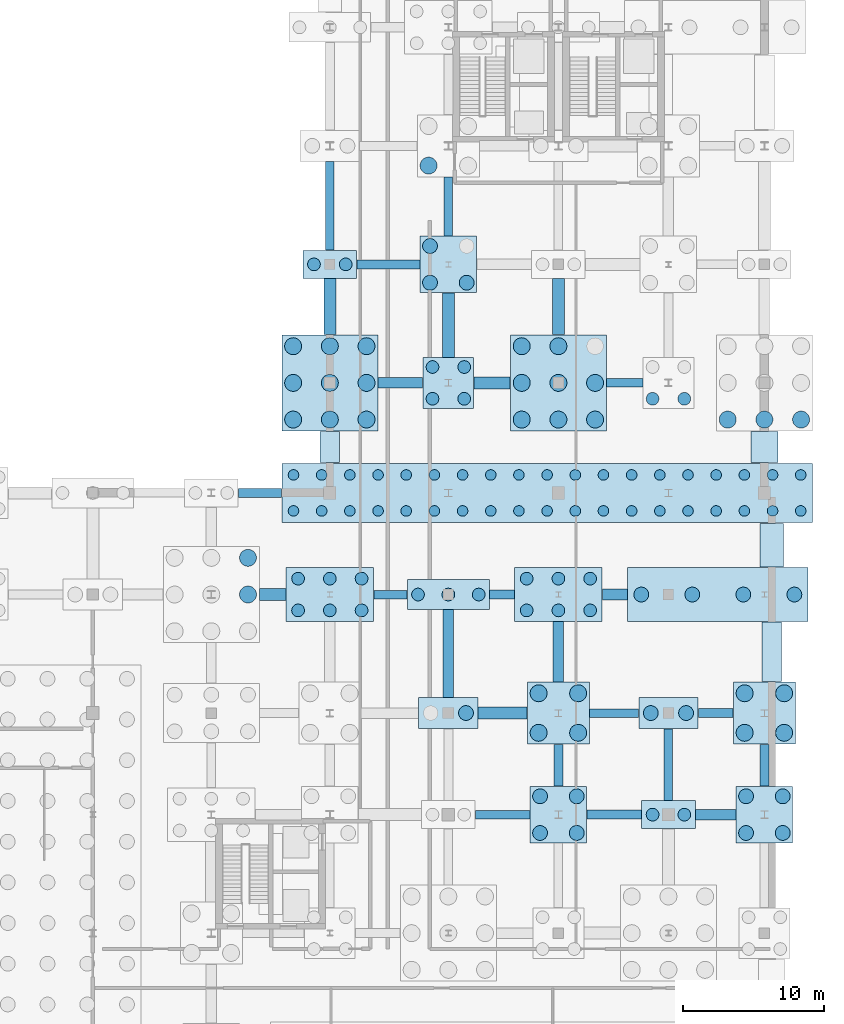
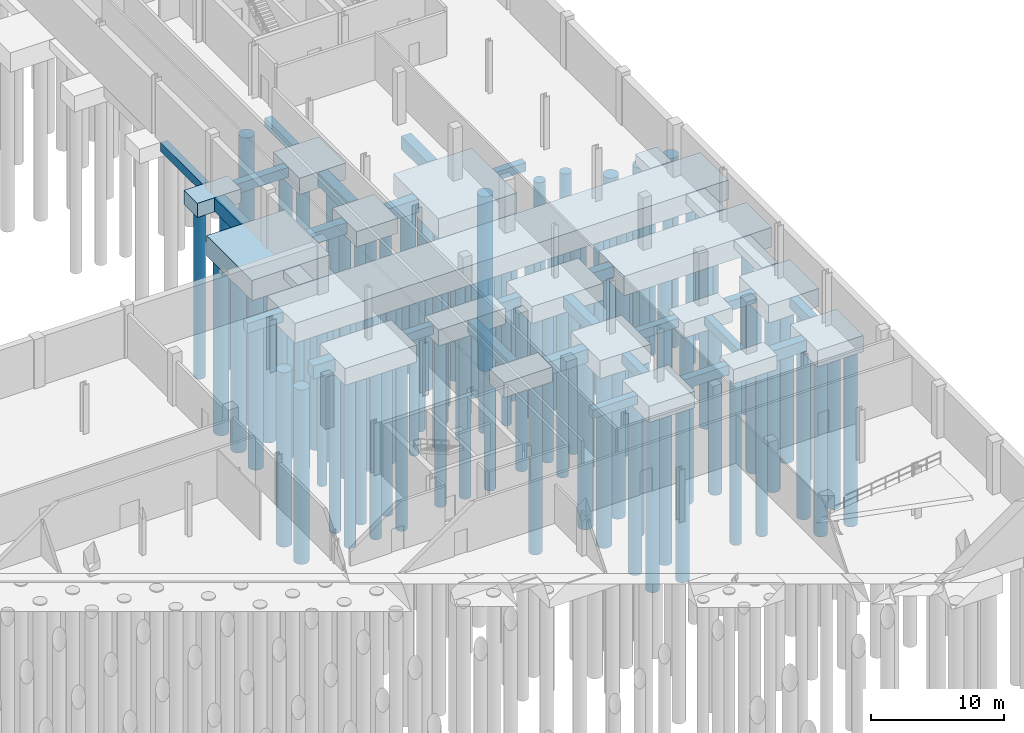
# One storey, part 7 of 32: 112 piles, 46 footings.
"""IFC4 building model written with IfcOpenShell, lengths in metres."""

from ifc_helpers import new_model, si_unit, direction, frame, origin_with_axes, origin_2d_with_axis, place, context, subcontext, project, spatial, rectangle, circle, extrude, material, material_profile, profile_set, type_object, element, save


model = new_model("IFC4")

# Units and contexts
model_context = context("Model", 3, precision=1e-05, world=origin_with_axes(), true_north=direction((0.0, 1.0)))
body_context = subcontext(model_context, "Body", "Model", "MODEL_VIEW")
ifc_project = project(units=[si_unit("LENGTHUNIT", "METRE"), si_unit("AREAUNIT", "SQUARE_METRE"), si_unit("VOLUMEUNIT", "CUBIC_METRE"), si_unit("PLANEANGLEUNIT", "RADIAN"), si_unit("MASSUNIT", "GRAM", prefix="KILO"), si_unit("THERMODYNAMICTEMPERATUREUNIT", "KELVIN")], contexts=[model_context])

# Site, building, storey
site_placement = place(None, origin_with_axes())
site = spatial("IfcSite", under=ifc_project, at=site_placement, CompositionType="ELEMENT")
building_placement = place(site_placement, origin_with_axes())
building = spatial("IfcBuilding", under=site, at=building_placement, Name="Montbau Bow Law Courts", CompositionType="ELEMENT")
storey_placement = place(building_placement, frame((0.0, 0.0, -4.8), z_axis=(0.0, 0.0, 1.0), x_axis=(1.0, 0.0, 0.0)))
storey = spatial("IfcBuildingStorey", under=building, at=storey_placement, Name="B1", CompositionType="ELEMENT", Elevation=-4.8)

# Footings
ifc_material_1 = material(Name="Concrete CSA A23.1 f'c 35 MPa", Category="concrete")
footing_type_1 = type_object("IfcFootingType", Name="FB-01", PredefinedType="FOOTING_BEAM", material=ifc_material_1)
footing_1_placement = place(None, frame((158.75, 39.0, -6.25), z_axis=(0.0, 0.0, 1.0), x_axis=(1.0, 0.0, 0.0)))
element("IfcFooting", 1, at=footing_1_placement, inside=storey, type_object=footing_type_1, Name="FB-033:fbm2_0051", PredefinedType="FOOTING_BEAM", context=body_context, shape_type="SweptSolid", body=[
    extrude(rectangle(XDim=3.87, YDim=0.65, at=origin_2d_with_axis()), origin_with_axes(), (0.0, 0.0, 1.0), 0.9),
])
footing_2_placement = place(None, frame((165.95, 46.2, -6.25), z_axis=(0.0, 0.0, 1.0), x_axis=(1.0, 0.0, 0.0)))
element("IfcFooting", 2, at=footing_2_placement, inside=storey, type_object=footing_type_1, Name="FB-041:fbm2_0059", PredefinedType="FOOTING_BEAM", context=body_context, shape_type="SweptSolid", body=[
    extrude(rectangle(XDim=2.47, YDim=0.65, at=origin_2d_with_axis()), origin_with_axes(), (0.0, 0.0, 1.0), 0.9),
])
footing_3_placement = place(None, frame((150.8, 54.6, -6.25), z_axis=(0.0, 0.0, 1.0), x_axis=(1.0, 0.0, 0.0)))
element("IfcFooting", 3, at=footing_3_placement, inside=storey, type_object=footing_type_1, Name="FB-057:fbm2_0075", PredefinedType="FOOTING_BEAM", context=body_context, shape_type="SweptSolid", body=[
    extrude(rectangle(XDim=1.77, YDim=0.65, at=origin_2d_with_axis()), origin_with_axes(), (0.0, 0.0, 1.0), 0.9),
])
footing_4_placement = place(None, frame((133.65, 61.8, -6.25), z_axis=(0.0, 0.0, 1.0), x_axis=(1.0, 0.0, 0.0)))
element("IfcFooting", 4, at=footing_4_placement, inside=storey, type_object=footing_type_1, Name="FB-073:fbm2_0091", PredefinedType="FOOTING_BEAM", context=body_context, shape_type="SweptSolid", body=[
    extrude(rectangle(XDim=3.07, YDim=0.65, at=origin_2d_with_axis()), origin_with_axes(), (0.0, 0.0, 1.0), 0.9),
])
footing_5_placement = place(None, frame((142.75, 78.0, -6.25), z_axis=(0.0, 0.0, 1.0), x_axis=(1.0, 0.0, 0.0)))
element("IfcFooting", 5, at=footing_5_placement, inside=storey, type_object=footing_type_1, Name="FB-077:fbm2_0095", PredefinedType="FOOTING_BEAM", context=body_context, shape_type="SweptSolid", body=[
    extrude(rectangle(XDim=4.47, YDim=0.65, at=origin_2d_with_axis()), origin_with_axes(), (0.0, 0.0, 1.0), 0.9),
])
for number, where, z_axis, x_axis, name in (
    (6, (154.8, 42.5, -6.25), (0.0, 0.0, 1.0), (0.0, 1.0, 0.0), "FB-157:fbm2_0175"),
    (7, (169.4, 42.5, -6.25), (0.0, 0.0, 1.0), (0.0, 1.0, 0.0), "FB-169:fbm2_0187"),
):
    element("IfcFooting", number, at=place(None, frame(where, z_axis=z_axis, x_axis=x_axis)), inside=storey, type_object=footing_type_1, Name=name, PredefinedType="FOOTING_BEAM", context=body_context, shape_type="SweptSolid", body=[
        extrude(rectangle(XDim=2.97, YDim=0.65, at=origin_2d_with_axis()), origin_with_axes(), (0.0, 0.0, 1.0), 0.9),
    ])
footing_type_2 = type_object("IfcFootingType", Name="FB-02", PredefinedType="FOOTING_BEAM", material=ifc_material_1)
footing_6_placement = place(None, frame((165.95, 39.0, -6.4), z_axis=(0.0, 0.0, 1.0), x_axis=(1.0, 0.0, 0.0)))
element("IfcFooting", 8, at=footing_6_placement, inside=storey, type_object=footing_type_2, Name="FB-034:fbm2_0052", PredefinedType="FOOTING_BEAM", context=body_context, shape_type="SweptSolid", body=[
    extrude(rectangle(XDim=2.87, YDim=0.75, at=origin_2d_with_axis()), origin_with_axes(), (0.0, 0.0, 1.0), 1.05),
])
footing_7_placement = place(None, frame((158.8, 54.6, -6.4), z_axis=(0.0, 0.0, 1.0), x_axis=(1.0, 0.0, 0.0)))
element("IfcFooting", 9, at=footing_7_placement, inside=storey, type_object=footing_type_2, Name="FB-058:fbm2_0076", PredefinedType="FOOTING_BEAM", context=body_context, shape_type="SweptSolid", body=[
    extrude(rectangle(XDim=1.77, YDim=0.75, at=origin_2d_with_axis()), origin_with_axes(), (0.0, 0.0, 1.0), 1.05),
])
footing_8_placement = place(None, frame((143.6, 69.6, -6.4), z_axis=(0.0, 0.0, 1.0), x_axis=(1.0, 0.0, 0.0)))
element("IfcFooting", 10, at=footing_8_placement, inside=storey, type_object=footing_type_2, Name="FB-074:fbm2_0092", PredefinedType="FOOTING_BEAM", context=body_context, shape_type="SweptSolid", body=[
    extrude(rectangle(XDim=3.17, YDim=0.75, at=origin_2d_with_axis()), origin_with_axes(), (0.0, 0.0, 1.0), 1.05),
])
footing_9_placement = place(None, frame((147.0, 50.425, -6.4), z_axis=(0.0, 0.0, 1.0), x_axis=(0.0, 1.0, 0.0)))
element("IfcFooting", 11, at=footing_9_placement, inside=storey, type_object=footing_type_2, Name="FB-150:fbm2_0168", PredefinedType="FOOTING_BEAM", context=body_context, shape_type="SweptSolid", body=[
    extrude(rectangle(XDim=6.22, YDim=0.75, at=origin_2d_with_axis()), origin_with_axes(), (0.0, 0.0, 1.0), 1.05),
])
footing_10_placement = place(None, frame((154.8, 50.55, -6.4), z_axis=(0.0, 0.0, 1.0), x_axis=(0.0, 1.0, 0.0)))
element("IfcFooting", 12, at=footing_10_placement, inside=storey, type_object=footing_type_2, Name="FB-158:fbm2_0176", PredefinedType="FOOTING_BEAM", context=body_context, shape_type="SweptSolid", body=[
    extrude(rectangle(XDim=4.27, YDim=0.75, at=origin_2d_with_axis()), origin_with_axes(), (0.0, 0.0, 1.0), 1.05),
])
footing_type_3 = type_object("IfcFootingType", Name="FB-03", PredefinedType="FOOTING_BEAM", material=ifc_material_1)
footing_11_placement = place(None, frame((150.85, 46.2, -6.55), z_axis=(0.0, 0.0, 1.0), x_axis=(1.0, 0.0, 0.0)))
element("IfcFooting", 13, at=footing_11_placement, inside=storey, type_object=footing_type_3, Name="FB-039:fbm2_0057", PredefinedType="FOOTING_BEAM", context=body_context, shape_type="SweptSolid", body=[
    extrude(rectangle(XDim=3.47, YDim=0.85, at=origin_2d_with_axis()), origin_with_axes(), (0.0, 0.0, 1.0), 1.2),
])
footing_12_placement = place(None, frame((134.55, 54.6, -6.55), z_axis=(0.0, 0.0, 1.0), x_axis=(1.0, 0.0, 0.0)))
element("IfcFooting", 14, at=footing_12_placement, inside=storey, type_object=footing_type_3, Name="FB-055:fbm2_0073", PredefinedType="FOOTING_BEAM", context=body_context, shape_type="SweptSolid", body=[
    extrude(rectangle(XDim=1.87, YDim=0.85, at=origin_2d_with_axis()), origin_with_axes(), (0.0, 0.0, 1.0), 1.2),
])
footing_13_placement = place(None, frame((150.1, 69.6, -6.55), z_axis=(0.0, 0.0, 1.0), x_axis=(1.0, 0.0, 0.0)))
element("IfcFooting", 15, at=footing_13_placement, inside=storey, type_object=footing_type_3, Name="FB-075:fbm2_0093", PredefinedType="FOOTING_BEAM", context=body_context, shape_type="SweptSolid", body=[
    extrude(rectangle(XDim=2.57, YDim=0.85, at=origin_2d_with_axis()), origin_with_axes(), (0.0, 0.0, 1.0), 1.2),
])
footing_14_placement = place(None, frame((138.6, 75.0, -6.55), z_axis=(0.0, 0.0, 1.0), x_axis=(0.0, 1.0, 0.0)))
element("IfcFooting", 16, at=footing_14_placement, inside=storey, type_object=footing_type_3, Name="FB-143:fbm2_0161", PredefinedType="FOOTING_BEAM", context=body_context, shape_type="SweptSolid", body=[
    extrude(rectangle(XDim=3.97, YDim=0.85, at=origin_2d_with_axis()), origin_with_axes(), (0.0, 0.0, 1.0), 1.2),
])
footing_15_placement = place(None, frame((147.0, 73.7, -6.55), z_axis=(0.0, 0.0, 1.0), x_axis=(0.0, 1.0, 0.0)))
element("IfcFooting", 17, at=footing_15_placement, inside=storey, type_object=footing_type_3, Name="FB-151:fbm2_0169", PredefinedType="FOOTING_BEAM", context=body_context, shape_type="SweptSolid", body=[
    extrude(rectangle(XDim=4.57, YDim=0.85, at=origin_2d_with_axis()), origin_with_axes(), (0.0, 0.0, 1.0), 1.2),
])
footing_16_placement = place(None, frame((154.8, 75.0, -6.55), z_axis=(0.0, 0.0, 1.0), x_axis=(0.0, 1.0, 0.0)))
element("IfcFooting", 18, at=footing_16_placement, inside=storey, type_object=footing_type_3, Name="FB-159:fbm2_0177", PredefinedType="FOOTING_BEAM", context=body_context, shape_type="SweptSolid", body=[
    extrude(rectangle(XDim=3.97, YDim=0.85, at=origin_2d_with_axis()), origin_with_axes(), (0.0, 0.0, 1.0), 1.2),
])
footing_type_4 = type_object("IfcFootingType", Name="FB-04", PredefinedType="FOOTING_BEAM", material=ifc_material_1)
footing_17_placement = place(None, frame((150.85, 39.0, -6.15), z_axis=(0.0, 0.0, 1.0), x_axis=(1.0, 0.0, 0.0)))
element("IfcFooting", 19, at=footing_17_placement, inside=storey, type_object=footing_type_4, Name="FB-032:fbm2_0050", PredefinedType="FOOTING_BEAM", context=body_context, shape_type="SweptSolid", body=[
    extrude(rectangle(XDim=3.87, YDim=0.6, at=origin_2d_with_axis()), origin_with_axes(), (0.0, 0.0, 1.0), 0.8),
])
footing_18_placement = place(None, frame((158.75, 46.2, -6.15), z_axis=(0.0, 0.0, 1.0), x_axis=(1.0, 0.0, 0.0)))
element("IfcFooting", 20, at=footing_18_placement, inside=storey, type_object=footing_type_4, Name="FB-040:fbm2_0058", PredefinedType="FOOTING_BEAM", context=body_context, shape_type="SweptSolid", body=[
    extrude(rectangle(XDim=3.47, YDim=0.6, at=origin_2d_with_axis()), origin_with_axes(), (0.0, 0.0, 1.0), 0.8),
])
footing_19_placement = place(None, frame((142.9, 54.6, -6.15), z_axis=(0.0, 0.0, 1.0), x_axis=(1.0, 0.0, 0.0)))
element("IfcFooting", 21, at=footing_19_placement, inside=storey, type_object=footing_type_4, Name="FB-056:fbm2_0074", PredefinedType="FOOTING_BEAM", context=body_context, shape_type="SweptSolid", body=[
    extrude(rectangle(XDim=2.37, YDim=0.6, at=origin_2d_with_axis()), origin_with_axes(), (0.0, 0.0, 1.0), 0.8),
])
footing_20_placement = place(None, frame((159.5, 69.6, -6.15), z_axis=(0.0, 0.0, 1.0), x_axis=(1.0, 0.0, 0.0)))
element("IfcFooting", 22, at=footing_20_placement, inside=storey, type_object=footing_type_4, Name="FB-076:fbm2_0094", PredefinedType="FOOTING_BEAM", context=body_context, shape_type="SweptSolid", body=[
    extrude(rectangle(XDim=2.57, YDim=0.6, at=origin_2d_with_axis()), origin_with_axes(), (0.0, 0.0, 1.0), 0.8),
])
footing_21_placement = place(None, frame((138.6, 82.15, -6.15), z_axis=(0.0, 0.0, 1.0), x_axis=(0.0, 1.0, 0.0)))
element("IfcFooting", 23, at=footing_21_placement, inside=storey, type_object=footing_type_4, Name="FB-144:fbm2_0162", PredefinedType="FOOTING_BEAM", context=body_context, shape_type="SweptSolid", body=[
    extrude(rectangle(XDim=6.27, YDim=0.6, at=origin_2d_with_axis()), origin_with_axes(), (0.0, 0.0, 1.0), 0.8),
])
footing_22_placement = place(None, frame((147.0, 82.1, -6.15), z_axis=(0.0, 0.0, 1.0), x_axis=(0.0, 1.0, 0.0)))
element("IfcFooting", 24, at=footing_22_placement, inside=storey, type_object=footing_type_4, Name="FB-152:fbm2_0170", PredefinedType="FOOTING_BEAM", context=body_context, shape_type="SweptSolid", body=[
    extrude(rectangle(XDim=4.17, YDim=0.6, at=origin_2d_with_axis()), origin_with_axes(), (0.0, 0.0, 1.0), 0.8),
])
footing_23_placement = place(None, frame((162.6, 42.55, -6.15), z_axis=(0.0, 0.0, 1.0), x_axis=(0.0, 1.0, 0.0)))
element("IfcFooting", 25, at=footing_23_placement, inside=storey, type_object=footing_type_4, Name="FB-164:fbm2_0182", PredefinedType="FOOTING_BEAM", context=body_context, shape_type="SweptSolid", body=[
    extrude(rectangle(XDim=5.07, YDim=0.6, at=origin_2d_with_axis()), origin_with_axes(), (0.0, 0.0, 1.0), 0.8),
])
footing_type_5 = type_object("IfcFootingType", Name="FC-01", PredefinedType="PILE_CAP", material=ifc_material_1)
footing_24_placement = place(None, frame((147.0, 69.6, -6.75), z_axis=(0.0, 0.0, 1.0), x_axis=(1.0, 0.0, 0.0)))
element("IfcFooting", 26, at=footing_24_placement, inside=storey, type_object=footing_type_5, Name="FCA-077:ftg2_0077", PredefinedType="PILE_CAP", context=body_context, shape_type="SweptSolid", body=[
    extrude(rectangle(XDim=3.6, YDim=3.6, at=origin_2d_with_axis()), origin_with_axes(), (0.0, 0.0, 1.0), 1.4),
])
footing_type_6 = type_object("IfcFootingType", Name="FC-02", PredefinedType="PILE_CAP", material=ifc_material_1)
for number, where, z_axis, x_axis, name in (
    (27, (147.0, 78.0, -6.85), (0.0, 0.0, 1.0), (1.0, 0.0, 0.0), "FCA-078:ftg2_0078"),
    (28, (154.8, 39.0, -6.85), (0.0, 0.0, 1.0), (1.0, 0.0, 0.0), "FCA-086:ftg2_0086"),
    (29, (169.4, 39.0, -6.85), (0.0, 0.0, 1.0), (1.0, 0.0, 0.0), "FCA-109:ftg2_0109"),
):
    element("IfcFooting", number, at=place(None, frame(where, z_axis=z_axis, x_axis=x_axis)), inside=storey, type_object=footing_type_6, Name=name, PredefinedType="PILE_CAP", context=body_context, shape_type="SweptSolid", body=[
        extrude(rectangle(XDim=4.0, YDim=4.0, at=origin_2d_with_axis()), origin_with_axes(), (0.0, 0.0, 1.0), 1.5),
    ])
footing_type_7 = type_object("IfcFootingType", Name="FC-03", PredefinedType="PILE_CAP", material=ifc_material_1)
for number, where, z_axis, x_axis, name in (
    (30, (154.8, 46.2, -7.0), (0.0, 0.0, 1.0), (1.0, 0.0, 0.0), "FCA-087:ftg2_0087"),
    (31, (169.4, 46.2, -7.0), (0.0, 0.0, 1.0), (1.0, 0.0, 0.0), "FCA-110:ftg2_0110"),
):
    element("IfcFooting", number, at=place(None, frame(where, z_axis=z_axis, x_axis=x_axis)), inside=storey, type_object=footing_type_7, Name=name, PredefinedType="PILE_CAP", context=body_context, shape_type="SweptSolid", body=[
        extrude(rectangle(XDim=4.4, YDim=4.4, at=origin_2d_with_axis()), origin_with_axes(), (0.0, 0.0, 1.0), 1.65),
    ])
footing_type_8 = type_object("IfcFootingType", Name="FC-04", PredefinedType="PILE_CAP", material=ifc_material_1)
for number, where, z_axis, x_axis, name in (
    (32, (138.6, 54.6, -6.9), (0.0, 0.0, 1.0), (1.0, 0.0, 0.0), "FCA-062:ftg2_0062"),
    (33, (154.8, 54.6, -6.9), (0.0, 0.0, 1.0), (1.0, 0.0, 0.0), "FCA-088:ftg2_0088"),
):
    element("IfcFooting", number, at=place(None, frame(where, z_axis=z_axis, x_axis=x_axis)), inside=storey, type_object=footing_type_8, Name=name, PredefinedType="PILE_CAP", context=body_context, shape_type="SweptSolid", body=[
        extrude(rectangle(XDim=6.2, YDim=3.8, at=origin_2d_with_axis()), origin_with_axes(), (0.0, 0.0, 1.0), 1.55),
    ])
footing_type_9 = type_object("IfcFootingType", Name="FC-06", PredefinedType="PILE_CAP", material=ifc_material_1)
for number, where, z_axis, x_axis, name in (
    (34, (138.6, 69.6, -7.2), (0.0, 0.0, 1.0), (1.0, 0.0, 0.0), "FCA-064:ftg2_0064"),
    (35, (154.8, 69.6, -7.2), (0.0, 0.0, 1.0), (1.0, 0.0, 0.0), "FCA-089:ftg2_0089"),
):
    element("IfcFooting", number, at=place(None, frame(where, z_axis=z_axis, x_axis=x_axis)), inside=storey, type_object=footing_type_9, Name=name, PredefinedType="PILE_CAP", context=body_context, shape_type="SweptSolid", body=[
        extrude(rectangle(XDim=6.8, YDim=6.8, at=origin_2d_with_axis()), origin_with_axes(), (0.0, 0.0, 1.0), 1.85),
    ])
footing_type_10 = type_object("IfcFootingType", Name="FC-07", PredefinedType="PILE_CAP", material=ifc_material_1)
for number, where, z_axis, x_axis, name in (
    (36, (138.6, 78.0, -6.65), (0.0, 0.0, 1.0), (1.0, 0.0, 0.0), "FCA-065:ftg2_0065"),
    (37, (162.6, 39.0, -6.65), (0.0, 0.0, 1.0), (1.0, 0.0, 0.0), "FCA-098:ftg2_0098"),
):
    element("IfcFooting", number, at=place(None, frame(where, z_axis=z_axis, x_axis=x_axis)), inside=storey, type_object=footing_type_10, Name=name, PredefinedType="PILE_CAP", context=body_context, shape_type="SweptSolid", body=[
        extrude(rectangle(XDim=3.8, YDim=2.0, at=origin_2d_with_axis()), origin_with_axes(), (0.0, 0.0, 1.0), 1.3),
    ])
footing_type_11 = type_object("IfcFootingType", Name="FC-08", PredefinedType="PILE_CAP", material=ifc_material_1)
for number, where, z_axis, x_axis, name in (
    (38, (147.0, 46.2, -6.7), (0.0, 0.0, 1.0), (1.0, 0.0, 0.0), "FCA-075:ftg2_0075"),
    (39, (162.6, 46.2, -6.7), (0.0, 0.0, 1.0), (1.0, 0.0, 0.0), "FCA-099:ftg2_0099"),
):
    element("IfcFooting", number, at=place(None, frame(where, z_axis=z_axis, x_axis=x_axis)), inside=storey, type_object=footing_type_11, Name=name, PredefinedType="PILE_CAP", context=body_context, shape_type="SweptSolid", body=[
        extrude(rectangle(XDim=4.2, YDim=2.2, at=origin_2d_with_axis()), origin_with_axes(), (0.0, 0.0, 1.0), 1.35),
    ])
footing_type_12 = type_object("IfcFootingType", Name="FC-09", PredefinedType="PILE_CAP", material=ifc_material_1)
footing_25_placement = place(None, frame((147.0, 54.6, -6.8), z_axis=(0.0, 0.0, 1.0), x_axis=(1.0, 0.0, 0.0)))
element("IfcFooting", 40, at=footing_25_placement, inside=storey, type_object=footing_type_12, Name="FCA-076:ftg2_0076", PredefinedType="PILE_CAP", context=body_context, shape_type="SweptSolid", body=[
    extrude(rectangle(XDim=5.8, YDim=2.1, at=origin_2d_with_axis()), origin_with_axes(), (0.0, 0.0, 1.0), 1.45),
])
footing_type_13 = type_object("IfcFootingType", Name="FC-CMB", PredefinedType="PILE_CAP", material=ifc_material_1)
footing_26_placement = place(None, frame((154.0, 61.8, -7.15), z_axis=(0.0, 0.0, 1.0), x_axis=(1.0, 0.0, 0.0)))
element("IfcFooting", 41, at=footing_26_placement, inside=storey, type_object=footing_type_13, Name="FCA-063:ftg2_0063", PredefinedType="PILE_CAP", context=body_context, shape_type="SweptSolid", body=[
    extrude(rectangle(XDim=37.6, YDim=4.2, at=origin_2d_with_axis()), origin_with_axes(), (0.0, 0.0, 1.0), 1.8),
])
footing_27_placement = place(None, frame((166.1, 54.6, -7.15), z_axis=(0.0, 0.0, 1.0), x_axis=(1.0, 0.0, 0.0)))
element("IfcFooting", 42, at=footing_27_placement, inside=storey, type_object=footing_type_13, Name="FCA-100:ftg2_0100", PredefinedType="PILE_CAP", context=body_context, shape_type="SweptSolid", body=[
    extrude(rectangle(XDim=12.8, YDim=3.8, at=origin_2d_with_axis()), origin_with_axes(), (0.0, 0.0, 1.0), 1.8),
])

# Piles
ifc_material_2 = material(Name="Concrete CSA A23.1 f'c 40 MPa", Category="concrete")
ifc_material_profile_1 = material_profile(ifc_material_2, circle(Radius=0.375, at=origin_2d_with_axis()), Name="BP750", Category="Main", Priority=0)
ifc_profile_set_1 = profile_set([ifc_material_profile_1], Name="Concrete CSA A23.1 f'c 40 MPa")
pile_type_1 = type_object("IfcPileType", Name="P-0750", PredefinedType="BORED", material=ifc_profile_set_1)
for number, where, z_axis, x_axis, name in (
    (43, (136.025, 60.525, -21.55), (0.0, 0.0, 1.0), (1.0, 0.0, 0.0), "FCA-063-P01:pil_e2_0427"),
    (44, (136.025, 63.075, -21.55), (0.0, 0.0, 1.0), (1.0, 0.0, 0.0), "FCA-063-P02:pil_e2_0428"),
    (45, (138.022, 60.525, -21.55), (0.0, 0.0, 1.0), (1.0, 0.0, 0.0), "FCA-063-P03:pil_e2_0429"),
    (46, (138.022, 63.075, -21.55), (0.0, 0.0, 1.0), (1.0, 0.0, 0.0), "FCA-063-P04:pil_e2_0430"),
    (47, (140.019, 60.525, -21.55), (0.0, 0.0, 1.0), (1.0, 0.0, 0.0), "FCA-063-P05:pil_e2_0431"),
    (48, (140.019, 63.075, -21.55), (0.0, 0.0, 1.0), (1.0, 0.0, 0.0), "FCA-063-P06:pil_e2_0432"),
    (49, (142.017, 60.525, -21.55), (0.0, 0.0, 1.0), (1.0, 0.0, 0.0), "FCA-063-P07:pil_e2_0433"),
    (50, (142.017, 63.075, -21.55), (0.0, 0.0, 1.0), (1.0, 0.0, 0.0), "FCA-063-P08:pil_e2_0434"),
    (51, (144.014, 60.525, -21.55), (0.0, 0.0, 1.0), (1.0, 0.0, 0.0), "FCA-063-P09:pil_e2_0435"),
    (52, (144.014, 63.075, -21.55), (0.0, 0.0, 1.0), (1.0, 0.0, 0.0), "FCA-063-P10:pil_e2_0436"),
    (53, (146.011, 60.525, -21.55), (0.0, 0.0, 1.0), (1.0, 0.0, 0.0), "FCA-063-P11:pil_e2_0437"),
    (54, (146.011, 63.075, -21.55), (0.0, 0.0, 1.0), (1.0, 0.0, 0.0), "FCA-063-P12:pil_e2_0438"),
    (55, (148.008, 60.525, -21.55), (0.0, 0.0, 1.0), (1.0, 0.0, 0.0), "FCA-063-P13:pil_e2_0439"),
    (56, (148.008, 63.075, -21.55), (0.0, 0.0, 1.0), (1.0, 0.0, 0.0), "FCA-063-P14:pil_e2_0440"),
    (57, (150.006, 60.525, -21.55), (0.0, 0.0, 1.0), (1.0, 0.0, 0.0), "FCA-063-P15:pil_e2_0441"),
    (58, (150.006, 63.075, -21.55), (0.0, 0.0, 1.0), (1.0, 0.0, 0.0), "FCA-063-P16:pil_e2_0442"),
    (59, (152.003, 60.525, -21.55), (0.0, 0.0, 1.0), (1.0, 0.0, 0.0), "FCA-063-P17:pil_e2_0443"),
    (60, (152.003, 63.075, -21.55), (0.0, 0.0, 1.0), (1.0, 0.0, 0.0), "FCA-063-P18:pil_e2_0444"),
    (61, (154.0, 60.525, -21.55), (0.0, 0.0, 1.0), (1.0, 0.0, 0.0), "FCA-063-P19:pil_e2_0445"),
    (62, (154.0, 63.075, -21.55), (0.0, 0.0, 1.0), (1.0, 0.0, 0.0), "FCA-063-P20:pil_e2_0446"),
    (63, (155.997, 60.525, -21.55), (0.0, 0.0, 1.0), (1.0, 0.0, 0.0), "FCA-063-P21:pil_e2_0447"),
    (64, (155.997, 63.075, -21.55), (0.0, 0.0, 1.0), (1.0, 0.0, 0.0), "FCA-063-P22:pil_e2_0448"),
    (65, (157.994, 60.525, -21.55), (0.0, 0.0, 1.0), (1.0, 0.0, 0.0), "FCA-063-P23:pil_e2_0449"),
    (66, (157.994, 63.075, -21.55), (0.0, 0.0, 1.0), (1.0, 0.0, 0.0), "FCA-063-P24:pil_e2_0450"),
    (67, (159.992, 60.525, -21.55), (0.0, 0.0, 1.0), (1.0, 0.0, 0.0), "FCA-063-P25:pil_e2_0451"),
    (68, (159.992, 63.075, -21.55), (0.0, 0.0, 1.0), (1.0, 0.0, 0.0), "FCA-063-P26:pil_e2_0452"),
    (69, (161.989, 60.525, -21.55), (0.0, 0.0, 1.0), (1.0, 0.0, 0.0), "FCA-063-P27:pil_e2_0453"),
    (70, (161.989, 63.075, -21.55), (0.0, 0.0, 1.0), (1.0, 0.0, 0.0), "FCA-063-P28:pil_e2_0454"),
    (71, (163.986, 60.525, -21.55), (0.0, 0.0, 1.0), (1.0, 0.0, 0.0), "FCA-063-P29:pil_e2_0455"),
    (72, (163.986, 63.075, -21.55), (0.0, 0.0, 1.0), (1.0, 0.0, 0.0), "FCA-063-P30:pil_e2_0456"),
    (73, (165.983, 60.525, -21.55), (0.0, 0.0, 1.0), (1.0, 0.0, 0.0), "FCA-063-P31:pil_e2_0457"),
    (74, (165.983, 63.075, -21.55), (0.0, 0.0, 1.0), (1.0, 0.0, 0.0), "FCA-063-P32:pil_e2_0458"),
    (75, (167.981, 60.525, -21.55), (0.0, 0.0, 1.0), (1.0, 0.0, 0.0), "FCA-063-P33:pil_e2_0459"),
    (76, (167.981, 63.075, -21.55), (0.0, 0.0, 1.0), (1.0, 0.0, 0.0), "FCA-063-P34:pil_e2_0460"),
    (77, (169.978, 60.525, -21.55), (0.0, 0.0, 1.0), (1.0, 0.0, 0.0), "FCA-063-P35:pil_e2_0461"),
    (78, (169.978, 63.075, -21.55), (0.0, 0.0, 1.0), (1.0, 0.0, 0.0), "FCA-063-P36:pil_e2_0462"),
    (79, (171.975, 60.525, -21.55), (0.0, 0.0, 1.0), (1.0, 0.0, 0.0), "FCA-063-P37:pil_e2_0463"),
    (80, (171.975, 63.075, -21.55), (0.0, 0.0, 1.0), (1.0, 0.0, 0.0), "FCA-063-P38:pil_e2_0464"),
):
    element("IfcPile", number, at=place(None, frame(where, z_axis=z_axis, x_axis=x_axis)), inside=storey, type_object=pile_type_1, Name=name, ConstructionType="CAST_IN_PLACE", PredefinedType="BORED", context=body_context, shape_type="SweptSolid", body=[
        extrude(circle(Radius=0.375, at=origin_2d_with_axis()), origin_with_axes(), (0.0, 0.0, 1.0), 14.5),
    ])
ifc_material_profile_2 = material_profile(ifc_material_2, circle(Radius=0.45, at=origin_2d_with_axis()), Name="BP900", Category="Main", Priority=0)
ifc_profile_set_2 = profile_set([ifc_material_profile_2], Name="Concrete CSA A23.1 f'c 40 MPa")
pile_type_2 = type_object("IfcPileType", Name="P-0900", PredefinedType="BORED", material=ifc_profile_set_2)
for number, where, z_axis, x_axis, name in (
    (81, (136.35, 53.475, -22.3), (0.0, 0.0, 1.0), (1.0, 0.0, 0.0), "FCA-062-P01:pil_f2_0248"),
    (82, (136.35, 55.725, -22.3), (0.0, 0.0, 1.0), (1.0, 0.0, 0.0), "FCA-062-P02:pil_f2_0249"),
    (83, (138.6, 53.475, -22.3), (0.0, 0.0, 1.0), (1.0, 0.0, 0.0), "FCA-062-P03:pil_f2_0250"),
    (84, (138.6, 55.725, -22.3), (0.0, 0.0, 1.0), (1.0, 0.0, 0.0), "FCA-062-P04:pil_f2_0251"),
    (85, (140.85, 53.475, -22.3), (0.0, 0.0, 1.0), (1.0, 0.0, 0.0), "FCA-062-P05:pil_f2_0252"),
    (86, (140.85, 55.725, -22.3), (0.0, 0.0, 1.0), (1.0, 0.0, 0.0), "FCA-062-P06:pil_f2_0253"),
    (87, (137.475, 78.0, -22.05), (0.0, 0.0, 1.0), (1.0, 0.0, 0.0), "FCA-065-P01:pil_f2_0263"),
    (88, (139.725, 78.0, -22.05), (0.0, 0.0, 1.0), (1.0, 0.0, 0.0), "FCA-065-P02:pil_f2_0264"),
    (89, (144.85, 54.6, -22.2), (0.0, 0.0, 1.0), (1.0, 0.0, 0.0), "FCA-076-P01:pil_f2_0301"),
    (90, (147.0, 54.6, -22.2), (0.0, 0.0, 1.0), (1.0, 0.0, 0.0), "FCA-076-P02:pil_f2_0302"),
    (91, (149.15, 54.6, -22.2), (0.0, 0.0, 1.0), (1.0, 0.0, 0.0), "FCA-076-P03:pil_f2_0303"),
    (92, (145.875, 68.475, -22.15), (0.0, 0.0, 1.0), (1.0, 0.0, 0.0), "FCA-077-P01:pil_f2_0304"),
    (93, (145.875, 70.725, -22.15), (0.0, 0.0, 1.0), (1.0, 0.0, 0.0), "FCA-077-P02:pil_f2_0305"),
    (94, (148.125, 68.475, -22.15), (0.0, 0.0, 1.0), (1.0, 0.0, 0.0), "FCA-077-P03:pil_f2_0306"),
    (95, (148.125, 70.725, -22.15), (0.0, 0.0, 1.0), (1.0, 0.0, 0.0), "FCA-077-P04:pil_f2_0307"),
    (96, (152.55, 53.475, -22.3), (0.0, 0.0, 1.0), (1.0, 0.0, 0.0), "FCA-088-P01:pil_f2_0350"),
    (97, (152.55, 55.725, -22.3), (0.0, 0.0, 1.0), (1.0, 0.0, 0.0), "FCA-088-P02:pil_f2_0351"),
    (98, (154.8, 53.475, -22.3), (0.0, 0.0, 1.0), (1.0, 0.0, 0.0), "FCA-088-P03:pil_f2_0352"),
    (99, (154.8, 55.725, -22.3), (0.0, 0.0, 1.0), (1.0, 0.0, 0.0), "FCA-088-P04:pil_f2_0353"),
    (100, (157.05, 53.475, -22.3), (0.0, 0.0, 1.0), (1.0, 0.0, 0.0), "FCA-088-P05:pil_f2_0354"),
    (101, (157.05, 55.725, -22.3), (0.0, 0.0, 1.0), (1.0, 0.0, 0.0), "FCA-088-P06:pil_f2_0355"),
    (102, (161.475, 39.0, -22.05), (0.0, 0.0, 1.0), (1.0, 0.0, 0.0), "FCA-098-P01:pil_f2_0393"),
    (103, (163.725, 39.0, -22.05), (0.0, 0.0, 1.0), (1.0, 0.0, 0.0), "FCA-098-P02:pil_f2_0394"),
    (104, (161.475, 68.475, -22.15), (0.0, 0.0, 1.0), (1.0, 0.0, 0.0), "FCA-101-P01:pil_f2_0397"),
    (105, (163.725, 68.475, -22.15), (0.0, 0.0, 1.0), (1.0, 0.0, 0.0), "FCA-101-P03:pil_f2_0399"),
):
    element("IfcPile", number, at=place(None, frame(where, z_axis=z_axis, x_axis=x_axis)), inside=storey, type_object=pile_type_2, Name=name, ConstructionType="CAST_IN_PLACE", PredefinedType="BORED", context=body_context, shape_type="SweptSolid", body=[
        extrude(circle(Radius=0.45, at=origin_2d_with_axis()), origin_with_axes(), (0.0, 0.0, 1.0), 15.5),
    ])
ifc_material_profile_3 = material_profile(ifc_material_2, circle(Radius=0.525, at=origin_2d_with_axis()), Name="BP1050", Category="Main", Priority=0)
ifc_profile_set_3 = profile_set([ifc_material_profile_3], Name="Concrete CSA A23.1 f'c 40 MPa")
pile_type_3 = type_object("IfcPileType", Name="P-1050", PredefinedType="BORED", material=ifc_profile_set_3)
for number, where, z_axis, x_axis, name in (
    (106, (160.675, 54.6, -23.05), (0.0, 0.0, 1.0), (1.0, 0.0, 0.0), "FCA-100-P01:pil_e2_0483"),
    (107, (164.292, 54.6, -23.05), (0.0, 0.0, 1.0), (1.0, 0.0, 0.0), "FCA-100-P02:pil_e2_0484"),
    (108, (167.908, 54.6, -23.05), (0.0, 0.0, 1.0), (1.0, 0.0, 0.0), "FCA-100-P03:pil_e2_0485"),
    (109, (171.525, 54.6, -23.05), (0.0, 0.0, 1.0), (1.0, 0.0, 0.0), "FCA-100-P04:pil_e2_0486"),
    (110, (148.25, 46.2, -22.6), (0.0, 0.0, 1.0), (1.0, 0.0, 0.0), "FCA-075-P02:pil_f2_0300"),
    (111, (145.7, 76.7, -22.75), (0.0, 0.0, 1.0), (1.0, 0.0, 0.0), "FCA-078-P01:pil_f2_0308"),
    (112, (145.7, 79.3, -22.75), (0.0, 0.0, 1.0), (1.0, 0.0, 0.0), "FCA-078-P02:pil_f2_0309"),
    (113, (148.3, 76.7, -22.75), (0.0, 0.0, 1.0), (1.0, 0.0, 0.0), "FCA-078-P03:pil_f2_0310"),
    (114, (153.5, 37.7, -22.75), (0.0, 0.0, 1.0), (1.0, 0.0, 0.0), "FCA-086-P01:pil_f2_0342"),
    (115, (153.5, 40.3, -22.75), (0.0, 0.0, 1.0), (1.0, 0.0, 0.0), "FCA-086-P02:pil_f2_0343"),
    (116, (156.1, 37.7, -22.75), (0.0, 0.0, 1.0), (1.0, 0.0, 0.0), "FCA-086-P03:pil_f2_0344"),
    (117, (156.1, 40.3, -22.75), (0.0, 0.0, 1.0), (1.0, 0.0, 0.0), "FCA-086-P04:pil_f2_0345"),
    (118, (161.35, 46.2, -22.6), (0.0, 0.0, 1.0), (1.0, 0.0, 0.0), "FCA-099-P01:pil_f2_0395"),
    (119, (163.85, 46.2, -22.6), (0.0, 0.0, 1.0), (1.0, 0.0, 0.0), "FCA-099-P02:pil_f2_0396"),
    (120, (168.1, 37.7, -22.75), (0.0, 0.0, 1.0), (1.0, 0.0, 0.0), "FCA-109-P01:pil_f2_0426"),
    (121, (168.1, 40.3, -22.75), (0.0, 0.0, 1.0), (1.0, 0.0, 0.0), "FCA-109-P02:pil_f2_0427"),
    (122, (170.7, 37.7, -22.75), (0.0, 0.0, 1.0), (1.0, 0.0, 0.0), "FCA-109-P03:pil_f2_0428"),
    (123, (170.7, 40.3, -22.75), (0.0, 0.0, 1.0), (1.0, 0.0, 0.0), "FCA-109-P04:pil_f2_0429"),
):
    element("IfcPile", number, at=place(None, frame(where, z_axis=z_axis, x_axis=x_axis)), inside=storey, type_object=pile_type_3, Name=name, ConstructionType="CAST_IN_PLACE", PredefinedType="BORED", context=body_context, shape_type="SweptSolid", body=[
        extrude(circle(Radius=0.525, at=origin_2d_with_axis()), origin_with_axes(), (0.0, 0.0, 1.0), 16.0),
    ])
ifc_material_profile_4 = material_profile(ifc_material_2, circle(Radius=0.6, at=origin_2d_with_axis()), Name="BP1200", Category="Main", Priority=0)
ifc_profile_set_4 = profile_set([ifc_material_profile_4], Name="Concrete CSA A23.1 f'c 40 MPa")
pile_type_4 = type_object("IfcPileType", Name="P-1200", PredefinedType="BORED", material=ifc_profile_set_4)
for number, where, z_axis, x_axis, name in (
    (124, (132.8, 54.6, -23.1), (0.0, 0.0, 1.0), (1.0, 0.0, 0.0), "FCA-054-P08:pil_f2_0227"),
    (125, (132.8, 57.2, -23.1), (0.0, 0.0, 1.0), (1.0, 0.0, 0.0), "FCA-054-P09:pil_f2_0228"),
    (126, (136.0, 67.0, -23.1), (0.0, 0.0, 1.0), (1.0, 0.0, 0.0), "FCA-064-P01:pil_f2_0254"),
    (127, (136.0, 69.6, -23.1), (0.0, 0.0, 1.0), (1.0, 0.0, 0.0), "FCA-064-P02:pil_f2_0255"),
    (128, (136.0, 72.2, -23.1), (0.0, 0.0, 1.0), (1.0, 0.0, 0.0), "FCA-064-P03:pil_f2_0256"),
    (129, (138.6, 67.0, -23.1), (0.0, 0.0, 1.0), (1.0, 0.0, 0.0), "FCA-064-P04:pil_f2_0257"),
    (130, (138.6, 69.6, -23.1), (0.0, 0.0, 1.0), (1.0, 0.0, 0.0), "FCA-064-P05:pil_f2_0258"),
    (131, (138.6, 72.2, -23.1), (0.0, 0.0, 1.0), (1.0, 0.0, 0.0), "FCA-064-P06:pil_f2_0259"),
    (132, (141.2, 67.0, -23.1), (0.0, 0.0, 1.0), (1.0, 0.0, 0.0), "FCA-064-P07:pil_f2_0260"),
    (133, (141.2, 69.6, -23.1), (0.0, 0.0, 1.0), (1.0, 0.0, 0.0), "FCA-064-P08:pil_f2_0261"),
    (134, (141.2, 72.2, -23.1), (0.0, 0.0, 1.0), (1.0, 0.0, 0.0), "FCA-064-P09:pil_f2_0262"),
    (135, (145.6, 85.0, -22.9), (0.0, 0.0, 1.0), (1.0, 0.0, 0.0), "FCA-079-P01:pil_f2_0312"),
    (136, (153.4, 44.8, -22.9), (0.0, 0.0, 1.0), (1.0, 0.0, 0.0), "FCA-087-P01:pil_f2_0346"),
    (137, (153.4, 47.6, -22.9), (0.0, 0.0, 1.0), (1.0, 0.0, 0.0), "FCA-087-P02:pil_f2_0347"),
    (138, (156.2, 44.8, -22.9), (0.0, 0.0, 1.0), (1.0, 0.0, 0.0), "FCA-087-P03:pil_f2_0348"),
    (139, (156.2, 47.6, -22.9), (0.0, 0.0, 1.0), (1.0, 0.0, 0.0), "FCA-087-P04:pil_f2_0349"),
    (140, (152.2, 67.0, -23.1), (0.0, 0.0, 1.0), (1.0, 0.0, 0.0), "FCA-089-P01:pil_f2_0356"),
    (141, (152.2, 69.6, -23.1), (0.0, 0.0, 1.0), (1.0, 0.0, 0.0), "FCA-089-P02:pil_f2_0357"),
    (142, (152.2, 72.2, -23.1), (0.0, 0.0, 1.0), (1.0, 0.0, 0.0), "FCA-089-P03:pil_f2_0358"),
    (143, (154.8, 67.0, -23.1), (0.0, 0.0, 1.0), (1.0, 0.0, 0.0), "FCA-089-P04:pil_f2_0359"),
    (144, (154.8, 69.6, -23.1), (0.0, 0.0, 1.0), (1.0, 0.0, 0.0), "FCA-089-P05:pil_f2_0360"),
    (145, (154.8, 72.2, -23.1), (0.0, 0.0, 1.0), (1.0, 0.0, 0.0), "FCA-089-P06:pil_f2_0361"),
    (146, (157.4, 67.0, -23.1), (0.0, 0.0, 1.0), (1.0, 0.0, 0.0), "FCA-089-P07:pil_f2_0362"),
    (147, (157.4, 69.6, -23.1), (0.0, 0.0, 1.0), (1.0, 0.0, 0.0), "FCA-089-P08:pil_f2_0363"),
    (148, (168.0, 44.8, -22.9), (0.0, 0.0, 1.0), (1.0, 0.0, 0.0), "FCA-110-P01:pil_f2_0430"),
    (149, (168.0, 47.6, -22.9), (0.0, 0.0, 1.0), (1.0, 0.0, 0.0), "FCA-110-P02:pil_f2_0431"),
    (150, (170.8, 44.8, -22.9), (0.0, 0.0, 1.0), (1.0, 0.0, 0.0), "FCA-110-P03:pil_f2_0432"),
    (151, (170.8, 47.6, -22.9), (0.0, 0.0, 1.0), (1.0, 0.0, 0.0), "FCA-110-P04:pil_f2_0433"),
    (152, (166.8, 67.0, -23.1), (0.0, 0.0, 1.0), (1.0, 0.0, 0.0), "FCA-111-P01:pil_f2_0434"),
    (153, (169.4, 67.0, -23.1), (0.0, 0.0, 1.0), (1.0, 0.0, 0.0), "FCA-111-P04:pil_f2_0437"),
    (154, (172.0, 67.0, -23.1), (0.0, 0.0, 1.0), (1.0, 0.0, 0.0), "FCA-111-P07:pil_f2_0440"),
):
    element("IfcPile", number, at=place(None, frame(where, z_axis=z_axis, x_axis=x_axis)), inside=storey, type_object=pile_type_4, Name=name, ConstructionType="CAST_IN_PLACE", PredefinedType="BORED", context=body_context, shape_type="SweptSolid", body=[
        extrude(circle(Radius=0.6, at=origin_2d_with_axis()), origin_with_axes(), (0.0, 0.0, 1.0), 16.0),
    ])

# Footings
footing_type_14 = type_object("IfcFootingType", Name="SF-01", PredefinedType="STRIP_FOOTING", material=ifc_material_1)
footing_28_placement = place(None, frame((169.92, 50.55, -6.1), z_axis=(0.0, 0.0, 1.0), x_axis=(0.0, 1.0, 0.0)))
element("IfcFooting", 155, at=footing_28_placement, inside=storey, type_object=footing_type_14, Name="SF-40:fbm2_0212", PredefinedType="STRIP_FOOTING", context=body_context, shape_type="SweptSolid", body=[
    extrude(rectangle(XDim=4.2, YDim=1.4, at=origin_2d_with_axis()), origin_with_axes(), (0.0, 0.0, 1.0), 0.75),
])
footing_29_placement = place(None, frame((138.6, 65.05, -6.1), z_axis=(0.0, 0.0, 1.0), x_axis=(0.0, 1.0, 0.0)))
element("IfcFooting", 156, at=footing_29_placement, inside=storey, type_object=footing_type_14, Name="SF-46:fbm2_0218", PredefinedType="STRIP_FOOTING", context=body_context, shape_type="SweptSolid", body=[
    extrude(rectangle(XDim=2.2, YDim=1.4, at=origin_2d_with_axis()), origin_with_axes(), (0.0, 0.0, 1.0), 0.75),
])
footing_type_15 = type_object("IfcFootingType", Name="SF-02", PredefinedType="STRIP_FOOTING", material=ifc_material_1)
footing_30_placement = place(None, frame((169.92, 58.1, -6.2), z_axis=(0.0, 0.0, 1.0), x_axis=(0.0, 1.0, 0.0)))
element("IfcFooting", 157, at=footing_30_placement, inside=storey, type_object=footing_type_15, Name="SF-41:fbm2_0213", PredefinedType="STRIP_FOOTING", context=body_context, shape_type="SweptSolid", body=[
    extrude(rectangle(XDim=3.1, YDim=1.65, at=origin_2d_with_axis()), origin_with_axes(), (0.0, 0.0, 1.0), 0.85),
])
footing_type_16 = type_object("IfcFootingType", Name="SF-03", PredefinedType="STRIP_FOOTING", material=ifc_material_1)
footing_31_placement = place(None, frame((169.4, 65.05, -6.3), z_axis=(0.0, 0.0, 1.0), x_axis=(0.0, 1.0, 0.0)))
element("IfcFooting", 158, at=footing_31_placement, inside=storey, type_object=footing_type_16, Name="SF-42:fbm2_0214", PredefinedType="STRIP_FOOTING", context=body_context, shape_type="SweptSolid", body=[
    extrude(rectangle(XDim=2.2, YDim=1.9, at=origin_2d_with_axis()), origin_with_axes(), (0.0, 0.0, 1.0), 0.95),
])

save(model, "model.ifc")
